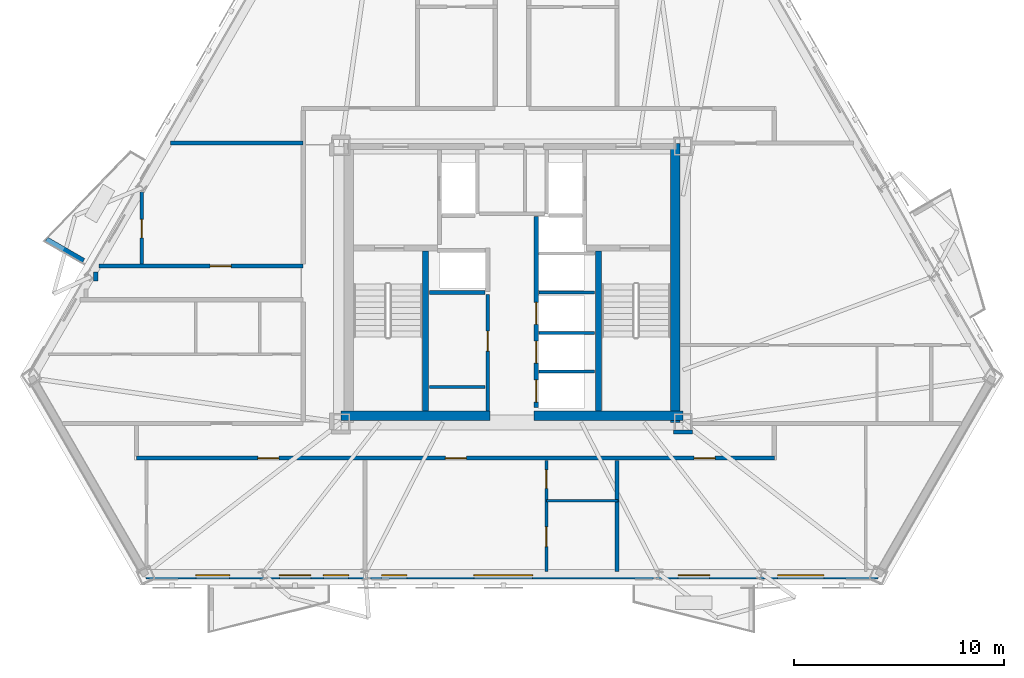
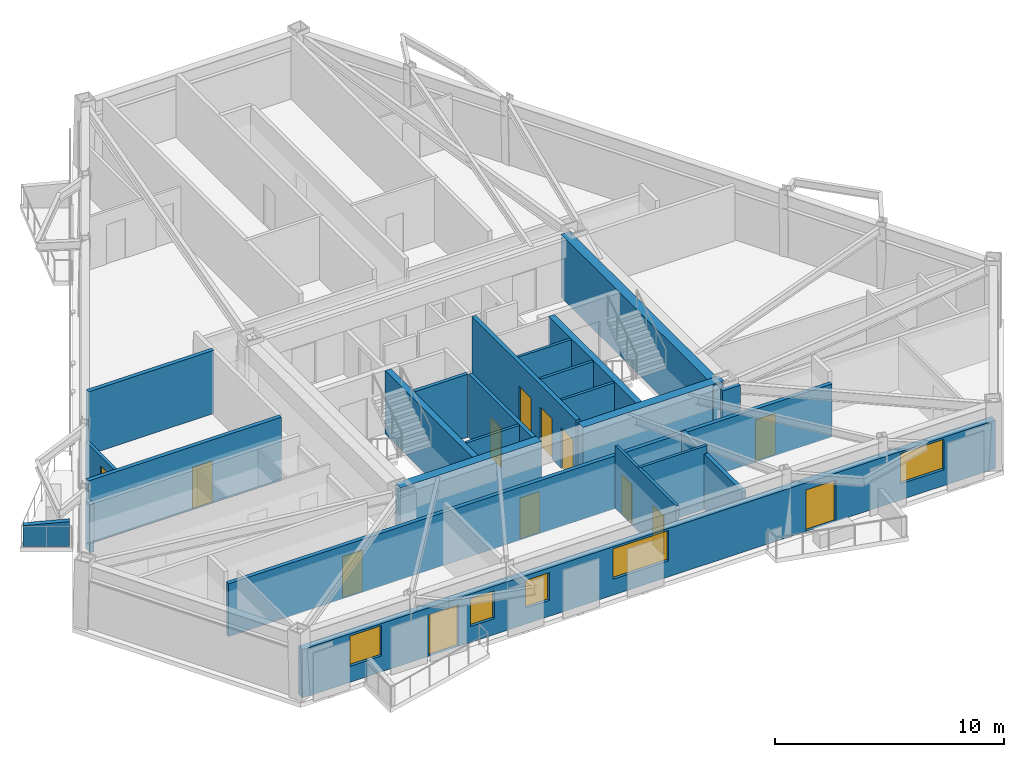
# One storey, part 3 of 9: 23 walls, 13 doors, 5 windows, 18 openings.
"""IFC4 building model written with IfcOpenShell, lengths in metres."""

import ifcopenshell
import ifcopenshell.guid

model = None  # the IFC model being written
_history = None  # IfcOwnerHistory: only IFC2X3 demands one
_inside = {}  # id of a spatial element -> (the spatial element, [elements in it])
_under = {}  # id of a project, library or spatial element -> (it, [spatial elements below it])
_declared = {}  # id of a project -> (the project, [libraries it declares])
_typed = {}  # id of a type object -> (the type object, [elements of that type])
_made_of = {}  # id of a material, layer set ... -> (it, [elements and type objects made of it])


def new_model(schema):
    """Start an empty IFC model of exactly this schema.

    Asked for "IFC4X3", IfcOpenShell would pick the latest addendum, in which some entities
    have other attributes; the version numbers below select the first issue.
    IFC2X3 requires an IfcOwnerHistory on every rooted entity: one is made here for all.
    """
    global model, _history
    if schema == "IFC4X3":
        model = ifcopenshell.file(schema_version=(4, 3, 0, 0))
    else:
        model = ifcopenshell.file(schema=schema)
    _inside.clear()
    _under.clear()
    _declared.clear()
    _typed.clear()
    _made_of.clear()
    _history = None
    if model.schema == "IFC2X3":
        org = make("IfcOrganization", Name="unknown")
        user = make(
            "IfcPersonAndOrganization",
            ThePerson=make("IfcPerson", FamilyName="unknown"),
            TheOrganization=org,
        )
        app = make(
            "IfcApplication",
            ApplicationDeveloper=org,
            Version="unknown",
            ApplicationFullName="unknown",
            ApplicationIdentifier="unknown",
        )
        _history = make(
            "IfcOwnerHistory",
            OwningUser=user,
            OwningApplication=app,
            ChangeAction="ADDED",
            CreationDate=0,
        )
    return model


def make(cls, **values):
    """One entity of the class cls with the attributes given. An attribute that is None is left unset."""
    return model.create_entity(
        cls, **{name: value for name, value in values.items() if value is not None}
    )


def rooted(cls, **values):
    """An entity with a GlobalId (a new one), such as an element, a storey or a relation."""
    return make(cls, GlobalId=ifcopenshell.guid.new(), OwnerHistory=_history, **values)


def si_unit(unit_type, name, prefix=None):
    """IfcSIUnit, for example si_unit("LENGTHUNIT", "METRE", prefix="MILLI")."""
    return make("IfcSIUnit", UnitType=unit_type, Prefix=prefix, Name=name)


def assignment(units):
    """IfcUnitAssignment: the units of a project."""
    return None if units is None else make("IfcUnitAssignment", Units=units)


def point(xyz):
    """IfcCartesianPoint."""
    return None if xyz is None else make("IfcCartesianPoint", Coordinates=xyz)


def direction(xyz):
    """IfcDirection."""
    return None if xyz is None else make("IfcDirection", DirectionRatios=xyz)


def frame(location, z_axis=None, x_axis=None):
    """IfcAxis2Placement3D, a coordinate frame: its origin and axes. An axis left out is left unset."""
    return make(
        "IfcAxis2Placement3D",
        Location=point(location),
        Axis=direction(z_axis),
        RefDirection=direction(x_axis),
    )


def frame_2d(location, x_axis=None):
    """IfcAxis2Placement2D, a coordinate frame in the plane: its origin and x axis."""
    return make(
        "IfcAxis2Placement2D", Location=point(location), RefDirection=direction(x_axis)
    )


def origin():
    """The frame at (0, 0, 0) with its axes left unset."""
    return frame((0.0, 0.0, 0.0))


def place(relative_to, where):
    """IfcLocalPlacement: puts the frame where relative to a parent placement (None: the world)."""
    return make(
        "IfcLocalPlacement", PlacementRelTo=relative_to, RelativePlacement=where
    )


def context(
    kind, dimensions, precision=None, world=None, true_north=None, identifier=None
):
    """IfcGeometricRepresentationContext, for example the 3D "Model" context."""
    return make(
        "IfcGeometricRepresentationContext",
        ContextIdentifier=identifier,
        ContextType=kind,
        CoordinateSpaceDimension=dimensions,
        Precision=precision,
        WorldCoordinateSystem=world,
        TrueNorth=true_north,
    )


def subcontext(parent, identifier, kind, view, scale=None):
    """IfcGeometricRepresentationSubContext, for example "Body" below "Model"."""
    return make(
        "IfcGeometricRepresentationSubContext",
        ContextIdentifier=identifier,
        ContextType=kind,
        ParentContext=parent,
        TargetScale=scale,
        TargetView=view,
    )


def project(units=None, contexts=None):
    """IfcProject with its units and contexts."""
    return rooted(
        "IfcProject",
        Name="project",
        RepresentationContexts=contexts,
        UnitsInContext=assignment(units),
    )


def spatial(cls, under=None, at=None, **own):
    """A site, building, storey or space (cls), placed at a placement, below another one or the project."""
    s = rooted(cls, ObjectPlacement=at, **own)
    if under is not None:
        _under.setdefault(under.id(), (under, []))[1].append(s)
    return s


def polyline(points):
    """IfcPolyline through the points."""
    return make("IfcPolyline", Points=[point(p) for p in points])


def profile(cls, at=None, kind="AREA", **sizes):
    """A parametric profile (cls). Its sizes go by their IFC names, for example OverallWidth=200.0."""
    return make(cls, ProfileType=kind, Position=at, **sizes)


def rectangle(**sizes):
    """IfcRectangleProfileDef."""
    return profile("IfcRectangleProfileDef", **sizes)


def outline(outer, holes=None, kind="AREA"):
    """IfcArbitraryClosedProfileDef: a profile drawn as a closed curve; with holes, ...WithVoids."""
    if holes is None:
        return make("IfcArbitraryClosedProfileDef", ProfileType=kind, OuterCurve=outer)
    return make(
        "IfcArbitraryProfileDefWithVoids",
        ProfileType=kind,
        OuterCurve=outer,
        InnerCurves=holes,
    )


def extrude(swept, where, along, depth):
    """IfcExtrudedAreaSolid: the profile swept, set in the frame where, extruded along a direction by depth."""
    return make(
        "IfcExtrudedAreaSolid",
        SweptArea=swept,
        Position=where,
        ExtrudedDirection=direction(along),
        Depth=depth,
    )


def shape(context_of_items, identifier, shape_type, items):
    """IfcShapeRepresentation: the items that make up one representation, for example the "Body"."""
    return make(
        "IfcShapeRepresentation",
        ContextOfItems=context_of_items,
        RepresentationIdentifier=identifier,
        RepresentationType=shape_type,
        Items=items,
    )


def material(Name=None, Category=None):
    """IfcMaterial."""
    return make("IfcMaterial", Name=Name, Category=Category)


def layer(
    of_material, thickness, ventilated=None, Name=None, Category=None, Priority=None
):
    """IfcMaterialLayer: one layer of a wall or slab, of a material (None: an air gap)."""
    return make(
        "IfcMaterialLayer",
        Material=of_material,
        LayerThickness=thickness,
        IsVentilated=ventilated,
        Name=Name,
        Category=Category,
        Priority=Priority,
    )


def layer_set(layers, Name=None):
    """IfcMaterialLayerSet."""
    return make("IfcMaterialLayerSet", MaterialLayers=layers, LayerSetName=Name)


def made_of(thing, what):
    """Note that an element or type object is made of a material, layer set ...; save() writes the relation."""
    if what is not None:
        _made_of.setdefault(what.id(), (what, []))[1].append(thing)
    return thing


def type_object(cls, material=None, **own):
    """A type object (cls), such as IfcWallType, which elements share."""
    return made_of(rooted(cls, **own), material)


def element(
    cls,
    number,
    at=None,
    inside=None,
    cuts=None,
    type_object=None,
    material=None,
    context=None,
    identifier="Body",
    shape_type=None,
    held_by="IfcProductDefinitionShape",
    body=None,
    shapes=None,
    **own,
):
    """One element of the class cls, such as IfcWall. Its Tag is "e" and its number.

    at: its placement. inside: the storey or other place that contains it. cuts: it is an
    opening in that element (IfcRelVoidsElement). A single representation is given by context,
    identifier, shape_type and body (its items); several are given by shapes. held_by: the class
    of the entity that holds the representations. save() writes the other relations.
    """
    e = rooted(cls, Tag="e%d" % number, ObjectPlacement=at, **own)
    if body is not None:
        shapes = [shape(context, identifier, shape_type, body)]
    if shapes is not None:
        e.Representation = make(held_by, Representations=shapes)
    if inside is not None:
        _inside.setdefault(inside.id(), (inside, []))[1].append(e)
    if cuts is not None:
        rooted(
            "IfcRelVoidsElement", RelatingBuildingElement=cuts, RelatedOpeningElement=e
        )
    if type_object is not None:
        _typed.setdefault(type_object.id(), (type_object, []))[1].append(e)
    return made_of(e, material)


def fill(opening, filler):
    """IfcRelFillsElement: the door or window that sits in an opening."""
    return rooted(
        "IfcRelFillsElement",
        RelatingOpeningElement=opening,
        RelatedBuildingElement=filler,
    )


def aggregate(whole, parts):
    """IfcRelAggregates: a whole, such as a stair, and the parts it consists of."""
    return rooted("IfcRelAggregates", RelatingObject=whole, RelatedObjects=parts)


def save(model, path):
    """Write the relations noted so far, then the file.

    IfcRelAggregates (storeys below a building ...), IfcRelContainedInSpatialStructure (elements
    in a storey), IfcRelDefinesByType, IfcRelAssociatesMaterial and IfcRelDeclares: one each for
    every whole, place, type object, material and project.
    """
    for whole, parts in _under.values():
        aggregate(whole, parts)
    for where, things in _inside.values():
        rooted(
            "IfcRelContainedInSpatialStructure",
            RelatedElements=things,
            RelatingStructure=where,
        )
    for kind, things in _typed.values():
        rooted("IfcRelDefinesByType", RelatedObjects=things, RelatingType=kind)
    for what, things in _made_of.values():
        rooted("IfcRelAssociatesMaterial", RelatedObjects=things, RelatingMaterial=what)
    for by, libraries in _declared.values():
        rooted("IfcRelDeclares", RelatingContext=by, RelatedDefinitions=libraries)
    model.write(path)


model = new_model("IFC4")

# Units and contexts
model_context = context("Model", 3, precision=1e-05, world=origin(), true_north=direction((0.0, 1.0)))
body_context = subcontext(model_context, "Body", "Model", "MODEL_VIEW")
ifc_project = project(units=[si_unit("LENGTHUNIT", "METRE"), si_unit("AREAUNIT", "SQUARE_METRE"), si_unit("VOLUMEUNIT", "CUBIC_METRE"), si_unit("PLANEANGLEUNIT", "RADIAN"), si_unit("MASSUNIT", "GRAM", prefix="KILO")], contexts=[model_context])

# Site, building, storey
site_placement = place(None, origin())
site = spatial("IfcSite", under=ifc_project, at=site_placement, CompositionType="ELEMENT")
building_placement = place(site_placement, origin())
building = spatial("IfcBuilding", under=site, at=building_placement, Name="Oramaril Tower", CompositionType="ELEMENT")
storey_placement = place(building_placement, frame((0.0, 0.0, 119.39990234375)))
storey = spatial("IfcBuildingStorey", under=building, at=storey_placement, Name="L31", CompositionType="ELEMENT", Elevation=119.39990234375)

# Wall, openings, doors, windows
ifc_material_1 = material(Name="Warm Cream Limestone", Category="masonry")
ifc_layer_1 = layer(ifc_material_1, 0.340087890625)
ifc_layer_set_1 = layer_set([ifc_layer_1], Name="WT-EXT34")
wall_type_1 = type_object("IfcWallType", Name="WT-EXT34", PredefinedType="SOLIDWALL", material=ifc_layer_set_1)
wall_1_placement = place(storey_placement, frame((20.04931640625, 3.712890625, 0.0), z_axis=(0.0, 0.0, 1.0), x_axis=(1.0, 0.0, 0.0)))
wall_1 = element("IfcWall", 1, at=wall_1_placement, inside=storey, type_object=wall_type_1, Name="L31 Tower Limestone Facade Wall 2M", PredefinedType="SOLIDWALL", context=body_context, shape_type="SweptSolid", body=[
    extrude(rectangle(XDim=34.9013671875, YDim=0.340087890625, at=frame_2d((17.45068359375, 0.0))), origin(), (0.0, 0.0, 1.0), 2.578125),
])
opening_1_placement = place(wall_1_placement, frame((6.369384765625, 0.0, 0.0)))
opening_1 = element("IfcOpeningElement", 2, at=opening_1_placement, cuts=wall_1, Name="Opening D-L31-BAL-S1", PredefinedType="OPENING", context=body_context, shape_type="SweptSolid", body=[
    extrude(rectangle(XDim=1.5, YDim=2.199951171875, at=frame_2d((0.75, 1.10009765625))), frame((0.0, 0.169921875, 0.0), z_axis=(0.0, -1.0, 0.0), x_axis=(1.0, 0.0, 0.0)), (0.0, 0.0, 1.0), 0.340087890625),
])
opening_2_placement = place(wall_1_placement, frame((25.366943359375, 0.0, 0.0)))
opening_2 = element("IfcOpeningElement", 3, at=opening_2_placement, cuts=wall_1, Name="Opening D-L31-BAL-S2", PredefinedType="OPENING", context=body_context, shape_type="SweptSolid", body=[
    extrude(rectangle(XDim=1.5, YDim=2.199951171875, at=frame_2d((0.75, 1.10009765625))), frame((0.0, 0.169921875, 0.0), z_axis=(0.0, -1.0, 0.0), x_axis=(1.0, 0.0, 0.0)), (0.0, 0.0, 1.0), 0.340087890625),
])
opening_3_placement = place(wall_1_placement, frame((2.38818359375, 0.0, 0.85009765625)))
opening_3 = element("IfcOpeningElement", 4, at=opening_3_placement, cuts=wall_1, Name="Opening WN-07", PredefinedType="OPENING", context=body_context, shape_type="SweptSolid", body=[
    extrude(rectangle(XDim=1.60009765625, YDim=1.617919921875, at=frame_2d((0.800048828125, 0.80908203125))), frame((0.0, 0.169921875, 0.0), z_axis=(0.0, -1.0, 0.0), x_axis=(1.0, 0.0, 0.0)), (0.0, 0.0, 1.0), 0.340087890625),
])
opening_4_placement = place(wall_1_placement, frame((8.464599609375, 0.0, 0.85009765625)))
opening_4 = element("IfcOpeningElement", 5, at=opening_4_placement, cuts=wall_1, Name="Opening WN-09", PredefinedType="OPENING", context=body_context, shape_type="SweptSolid", body=[
    extrude(rectangle(XDim=1.199951171875, YDim=1.47998046875, at=frame_2d((0.60009765625, 0.739990234375))), frame((0.0, 0.169921875, 0.0), z_axis=(0.0, -1.0, 0.0), x_axis=(1.0, 0.0, 0.0)), (0.0, 0.0, 1.0), 0.340087890625),
])
opening_5_placement = place(wall_1_placement, frame((11.234619140625, 0.0, 0.85009765625)))
opening_5 = element("IfcOpeningElement", 6, at=opening_5_placement, cuts=wall_1, Name="Opening WN-09", PredefinedType="OPENING", context=body_context, shape_type="SweptSolid", body=[
    extrude(rectangle(XDim=1.199951171875, YDim=1.47998046875, at=frame_2d((0.60009765625, 0.739990234375))), frame((0.0, 0.169921875, 0.0), z_axis=(0.0, -1.0, 0.0), x_axis=(1.0, 0.0, 0.0)), (0.0, 0.0, 1.0), 0.340087890625),
])
opening_6_placement = place(wall_1_placement, frame((15.638671875, 0.0, 0.85009765625)))
opening_6 = element("IfcOpeningElement", 7, at=opening_6_placement, cuts=wall_1, Name="Opening WN-01", PredefinedType="OPENING", context=body_context, shape_type="SweptSolid", body=[
    extrude(rectangle(XDim=2.800048828125, YDim=1.617919921875, at=frame_2d((1.39990234375, 0.80908203125))), frame((0.0, 0.169921875, 0.0), z_axis=(0.0, -1.0, 0.0), x_axis=(1.0, 0.0, 0.0)), (0.0, 0.0, 1.0), 0.340087890625),
])
opening_7_placement = place(wall_1_placement, frame((30.11328125, 0.0, 0.85009765625)))
opening_7 = element("IfcOpeningElement", 8, at=opening_7_placement, cuts=wall_1, Name="Opening WN-04", PredefinedType="OPENING", context=body_context, shape_type="SweptSolid", body=[
    extrude(rectangle(XDim=2.199951171875, YDim=1.617919921875, at=frame_2d((1.10009765625, 0.80908203125))), frame((0.0, 0.169921875, 0.0), z_axis=(0.0, -1.0, 0.0), x_axis=(1.0, 0.0, 0.0)), (0.0, 0.0, 1.0), 0.340087890625),
])
ifc_material_2 = material(Name="Anodised Aluminium 6063-T6", Category="aluminium")
door_type_1 = type_object("IfcDoorType", Name="DT-BAL", OperationType="NOTDEFINED", PredefinedType="DOOR", material=ifc_material_2)
door_1_placement = place(opening_1_placement, origin())
door_1 = element("IfcDoor", 9, at=door_1_placement, inside=storey, type_object=door_type_1, Name="L31 Balcony Glazed Door L31-BAL-S1", OperationType="SINGLE_SWING_RIGHT", OverallHeight=2.199951171875, OverallWidth=1.5, PredefinedType="DOOR", context=body_context, shape_type="SweptSolid", body=[
    extrude(rectangle(XDim=1.5, YDim=2.199951171875, at=frame_2d((0.75, 1.10009765625))), frame((0.0, 0.02490234375, 0.0), z_axis=(0.0, -1.0, 0.0), x_axis=(1.0, 0.0, 0.0)), (0.0, 0.0, 1.0), 0.050048828125),
])
fill(opening_1, door_1)
door_2_placement = place(opening_2_placement, origin())
door_2 = element("IfcDoor", 10, at=door_2_placement, inside=storey, type_object=door_type_1, Name="L31 Balcony Glazed Door L31-BAL-S2", OperationType="SINGLE_SWING_LEFT", OverallHeight=2.199951171875, OverallWidth=1.5, PredefinedType="DOOR", context=body_context, shape_type="SweptSolid", body=[
    extrude(rectangle(XDim=1.5, YDim=2.199951171875, at=frame_2d((0.75, 1.10009765625))), frame((0.0, 0.02490234375, 0.0), z_axis=(0.0, -1.0, 0.0), x_axis=(1.0, 0.0, 0.0)), (0.0, 0.0, 1.0), 0.050048828125),
])
fill(opening_2, door_2)
ifc_material_3 = material(Name="Coastal Low-E Insulated Glass", Category="glass")
window_type_1 = type_object("IfcWindowType", Name="WNT-01", PartitioningType="SINGLE_PANEL", PredefinedType="WINDOW", material=ifc_material_3)
window_1_placement = place(opening_6_placement, origin())
window_1 = element("IfcWindow", 11, at=window_1_placement, inside=storey, type_object=window_type_1, Name="L31 Chicago Bay Window WN-01", OverallHeight=1.617919921875, OverallWidth=2.800048828125, PartitioningType="SINGLE_PANEL", PredefinedType="WINDOW", context=body_context, shape_type="SweptSolid", body=[
    extrude(rectangle(XDim=2.800048828125, YDim=1.617919921875, at=frame_2d((1.39990234375, 0.80908203125))), frame((0.0, 0.030029296875, 0.0), z_axis=(0.0, -1.0, 0.0), x_axis=(1.0, 0.0, 0.0)), (0.0, 0.0, 1.0), 0.06005859375),
])
fill(opening_6, window_1)
ifc_material_4 = material(Name="Coastal Low-E Insulated Glass", Category="glass")
window_type_2 = type_object("IfcWindowType", Name="WNT-04", PartitioningType="SINGLE_PANEL", PredefinedType="WINDOW", material=ifc_material_4)
window_2_placement = place(opening_7_placement, origin())
window_2 = element("IfcWindow", 12, at=window_2_placement, inside=storey, type_object=window_type_2, Name="L31 Chicago Bay Window WN-04", OverallHeight=1.617919921875, OverallWidth=2.199951171875, PartitioningType="SINGLE_PANEL", PredefinedType="WINDOW", context=body_context, shape_type="SweptSolid", body=[
    extrude(rectangle(XDim=2.199951171875, YDim=1.617919921875, at=frame_2d((1.10009765625, 0.80908203125))), frame((0.0, 0.030029296875, 0.0), z_axis=(0.0, -1.0, 0.0), x_axis=(1.0, 0.0, 0.0)), (0.0, 0.0, 1.0), 0.06005859375),
])
fill(opening_7, window_2)
ifc_material_5 = material(Name="Coastal Low-E Insulated Glass", Category="glass")
window_type_3 = type_object("IfcWindowType", Name="WNT-07", PartitioningType="SINGLE_PANEL", PredefinedType="WINDOW", material=ifc_material_5)
window_3_placement = place(opening_3_placement, origin())
window_3 = element("IfcWindow", 13, at=window_3_placement, inside=storey, type_object=window_type_3, Name="L31 Chicago Bay Window WN-07", OverallHeight=1.617919921875, OverallWidth=1.60009765625, PartitioningType="SINGLE_PANEL", PredefinedType="WINDOW", context=body_context, shape_type="SweptSolid", body=[
    extrude(rectangle(XDim=1.60009765625, YDim=1.617919921875, at=frame_2d((0.800048828125, 0.80908203125))), frame((0.0, 0.030029296875, 0.0), z_axis=(0.0, -1.0, 0.0), x_axis=(1.0, 0.0, 0.0)), (0.0, 0.0, 1.0), 0.06005859375),
])
fill(opening_3, window_3)
ifc_material_6 = material(Name="Coastal Low-E Insulated Glass", Category="glass")
window_type_4 = type_object("IfcWindowType", Name="WNT-09", PartitioningType="SINGLE_PANEL", PredefinedType="WINDOW", material=ifc_material_6)
window_4_placement = place(opening_4_placement, origin())
window_4 = element("IfcWindow", 14, at=window_4_placement, inside=storey, type_object=window_type_4, Name="L31 Chicago Bay Window WN-09", OverallHeight=1.47998046875, OverallWidth=1.199951171875, PartitioningType="SINGLE_PANEL", PredefinedType="WINDOW", context=body_context, shape_type="SweptSolid", body=[
    extrude(rectangle(XDim=1.199951171875, YDim=1.47998046875, at=frame_2d((0.60009765625, 0.739990234375))), frame((0.0, 0.030029296875, 0.0), z_axis=(0.0, -1.0, 0.0), x_axis=(1.0, 0.0, 0.0)), (0.0, 0.0, 1.0), 0.06005859375),
])
fill(opening_4, window_4)
window_5_placement = place(opening_5_placement, origin())
window_5 = element("IfcWindow", 15, at=window_5_placement, inside=storey, type_object=window_type_4, Name="L31 Chicago Bay Window WN-09", OverallHeight=1.47998046875, OverallWidth=1.199951171875, PartitioningType="SINGLE_PANEL", PredefinedType="WINDOW", context=body_context, shape_type="SweptSolid", body=[
    extrude(rectangle(XDim=1.199951171875, YDim=1.47998046875, at=frame_2d((0.60009765625, 0.739990234375))), frame((0.0, 0.030029296875, 0.0), z_axis=(0.0, -1.0, 0.0), x_axis=(1.0, 0.0, 0.0)), (0.0, 0.0, 1.0), 0.06005859375),
])
fill(opening_5, window_5)

# Walls
ifc_material_7 = material(Name="Concrete C40/50", Category="concrete")
ifc_layer_2 = layer(ifc_material_7, 0.22998046875)
ifc_layer_set_2 = layer_set([ifc_layer_2], Name="WT-PRP23")
wall_type_2 = type_object("IfcWallType", Name="WT-PRP23", PredefinedType="PARAPET", material=ifc_layer_set_2)
wall_2_placement = place(storey_placement, frame((17.0849609375, 18.7099609375, 0.0), z_axis=(0.0, 0.0, 1.0), x_axis=(-0.866012356593, 0.500022597718, 0.0)))
element("IfcWall", 16, at=wall_2_placement, inside=storey, type_object=wall_type_2, Name="L31 Trapezoidal Balcony Frame Cheek L31-BAL-NW2-R", PredefinedType="PARAPET", context=body_context, shape_type="SweptSolid", body=[
    extrude(outline(polyline([(0.0, 0.0), (2.0419921875, 0.0), (2.0419921875, 1.10009765625), (0.0, 1.320068359375), (0.0, 0.0)])), frame((0.0, 0.114990234375, 0.0), z_axis=(0.0, -1.0, 0.0), x_axis=(1.0, 0.0, 0.0)), (0.0, 0.0, 1.0), 0.22998046875),
])
ifc_material_8 = material(Name="Acoustic Gypsum Board Partition")
ifc_layer_3 = layer(ifc_material_8, 0.139892578125)
ifc_layer_set_3 = layer_set([ifc_layer_3], Name="WT-PT14")
wall_type_3 = type_object("IfcWallType", Name="WT-PT14", PredefinedType="PARTITIONING", material=ifc_layer_set_3)
for number, where, z_axis, x_axis, name in (
    (17, (33.56005859375, 12.679931640625, 0.0), (0.0, 0.0, 1.0), (1.0, 0.0, 0.0), "L31 Freed Shaft South Closure"),
    (18, (38.780029296875, 13.419921875, 0.0), (0.0, 0.0, 1.0), (1.0, 0.0, 0.0), "L31 East Lift Divider"),
    (19, (38.780029296875, 15.27001953125, 0.0), (0.0, 0.0, 1.0), (1.0, 0.0, 0.0), "L31 East Lift Divider"),
    (20, (38.780029296875, 17.199951171875, 0.0), (0.0, 0.0, 1.0), (1.0, 0.0, 0.0), "L31 East Lift Divider"),
):
    element("IfcWall", number, at=place(storey_placement, frame(where, z_axis=z_axis, x_axis=x_axis)), inside=storey, type_object=wall_type_3, Name=name, PredefinedType="PARTITIONING", context=body_context, shape_type="SweptSolid", body=[
        extrude(rectangle(XDim=2.659912109375, YDim=0.139892578125, at=frame_2d((1.330078125, 0.0))), origin(), (0.0, 0.0, 1.0), 3.360107421875),
    ])
wall_3_placement = place(storey_placement, frame((39.139892578125, 7.27001953125, 0.0), z_axis=(0.0, 0.0, 1.0), x_axis=(1.0, 0.0, 0.0)))
element("IfcWall", 21, at=wall_3_placement, inside=storey, type_object=wall_type_3, Name="L31 Interior Partition PT-14", PredefinedType="PARTITIONING", context=body_context, shape_type="SweptSolid", body=[
    extrude(rectangle(XDim=3.41015625, YDim=0.139892578125, at=frame_2d((1.705078125, 0.0))), origin(), (0.0, 0.0, 1.0), 3.360107421875),
])

# Wall, openings, doors
wall_4_placement = place(storey_placement, frame((39.139892578125, 3.886962890625, 0.0), z_axis=(0.0, 0.0, 1.0), x_axis=(0.0, 1.0, 0.0)))
wall_4 = element("IfcWall", 22, at=wall_4_placement, inside=storey, type_object=wall_type_3, Name="L31 Interior Partition PT-14", PredefinedType="PARTITIONING", context=body_context, shape_type="SweptSolid", body=[
    extrude(rectangle(XDim=5.30908203125, YDim=0.139892578125, at=frame_2d((2.654541015625, 0.0))), origin(), (0.0, 0.0, 1.0), 3.360107421875),
])
opening_8_placement = place(wall_4_placement, frame((1.1904296875, 0.0, 0.0)))
opening_8 = element("IfcOpeningElement", 23, at=opening_8_placement, cuts=wall_4, Name="Opening D-L31-24", PredefinedType="OPENING", context=body_context, shape_type="SweptSolid", body=[
    extrude(rectangle(XDim=0.949951171875, YDim=2.10009765625, at=frame_2d((0.47509765625, 1.050048828125))), frame((0.0, 0.06982421875, 0.0), z_axis=(0.0, -1.0, 0.0), x_axis=(1.0, 0.0, 0.0)), (0.0, 0.0, 1.0), 0.139892578125),
])
opening_9_placement = place(wall_4_placement, frame((3.973876953125, 0.0, 0.0)))
opening_9 = element("IfcOpeningElement", 24, at=opening_9_placement, cuts=wall_4, Name="Opening D-L31-25", PredefinedType="OPENING", context=body_context, shape_type="SweptSolid", body=[
    extrude(rectangle(XDim=0.8798828125, YDim=2.080078125, at=frame_2d((0.43994140625, 1.0400390625))), frame((0.0, 0.06982421875, 0.0), z_axis=(0.0, -1.0, 0.0), x_axis=(1.0, 0.0, 0.0)), (0.0, 0.0, 1.0), 0.139892578125),
])
ifc_material_9 = material(Name="FSC Brazilian Freijo Hardwood", Category="wood")
door_type_2 = type_object("IfcDoorType", Name="DT-BATH", OperationType="NOTDEFINED", PredefinedType="DOOR", material=ifc_material_9)
door_3_placement = place(opening_9_placement, origin())
door_3 = element("IfcDoor", 25, at=door_3_placement, inside=storey, type_object=door_type_2, Name="L31 Flat L31-U2 Bathroom Door D-L31-25", OperationType="SINGLE_SWING_LEFT", OverallHeight=2.080078125, OverallWidth=0.8798828125, PredefinedType="DOOR", context=body_context, shape_type="SweptSolid", body=[
    extrude(rectangle(XDim=0.8798828125, YDim=2.080078125, at=frame_2d((0.43994140625, 1.0400390625))), frame((0.0, 0.02490234375, 0.0), z_axis=(0.0, -1.0, 0.0), x_axis=(1.0, 0.0, 0.0)), (0.0, 0.0, 1.0), 0.050048828125),
])
fill(opening_9, door_3)
ifc_material_10 = material(Name="FSC Brazilian Freijo Hardwood", Category="wood")
door_type_3 = type_object("IfcDoorType", Name="DT-STDY", OperationType="NOTDEFINED", PredefinedType="DOOR", material=ifc_material_10)
door_4_placement = place(opening_8_placement, origin())
door_4 = element("IfcDoor", 26, at=door_4_placement, inside=storey, type_object=door_type_3, Name="L31 Flat L31-U2 Kitchen Door D-L31-24", OperationType="SINGLE_SWING_RIGHT", OverallHeight=2.10009765625, OverallWidth=0.949951171875, PredefinedType="DOOR", context=body_context, shape_type="SweptSolid", body=[
    extrude(rectangle(XDim=0.949951171875, YDim=2.10009765625, at=frame_2d((0.47509765625, 1.050048828125))), frame((0.0, 0.02490234375, 0.0), z_axis=(0.0, -1.0, 0.0), x_axis=(1.0, 0.0, 0.0)), (0.0, 0.0, 1.0), 0.050048828125),
])
fill(opening_8, door_4)

# Wall, opening, door
ifc_material_11 = material(Name="Acoustic Gypsum Board Partition")
ifc_layer_4 = layer(ifc_material_11, 0.159912109375)
ifc_layer_set_4 = layer_set([ifc_layer_4], Name="WT-PT16")
wall_type_4 = type_object("IfcWallType", Name="WT-PT16", PredefinedType="PARTITIONING", material=ifc_layer_set_4)
wall_5_placement = place(storey_placement, frame((19.860107421875, 18.553955078125, 0.0), z_axis=(0.0, 0.0, 1.0), x_axis=(0.0, 1.0, 0.0)))
wall_5 = element("IfcWall", 27, at=wall_5_placement, inside=storey, type_object=wall_type_4, Name="L31 Interior Partition PT-16", PredefinedType="PARTITIONING", context=body_context, shape_type="SweptSolid", body=[
    extrude(rectangle(XDim=3.41845703125, YDim=0.159912109375, at=frame_2d((1.709228515625, 0.0))), origin(), (0.0, 0.0, 1.0), 2.578125),
])
opening_10_placement = place(wall_5_placement, frame((1.247314453125, 0.0, 0.0)))
opening_10 = element("IfcOpeningElement", 28, at=opening_10_placement, cuts=wall_5, Name="Opening D-L31-20", PredefinedType="OPENING", context=body_context, shape_type="SweptSolid", body=[
    extrude(rectangle(XDim=0.8798828125, YDim=2.080078125, at=frame_2d((0.43994140625, 1.0400390625))), frame((0.0, 0.080078125, 0.0), z_axis=(0.0, -1.0, 0.0), x_axis=(1.0, 0.0, 0.0)), (0.0, 0.0, 1.0), 0.159912109375),
])
door_5_placement = place(opening_10_placement, origin())
door_5 = element("IfcDoor", 29, at=door_5_placement, inside=storey, type_object=door_type_2, Name="L31 Flat L31-U5 Bathroom Door D-L31-20", OperationType="SINGLE_SWING_RIGHT", OverallHeight=2.080078125, OverallWidth=0.8798828125, PredefinedType="DOOR", context=body_context, shape_type="SweptSolid", body=[
    extrude(rectangle(XDim=0.8798828125, YDim=2.080078125, at=frame_2d((0.43994140625, 1.0400390625))), frame((0.0, 0.02490234375, 0.0), z_axis=(0.0, -1.0, 0.0), x_axis=(1.0, 0.0, 0.0)), (0.0, 0.0, 1.0), 0.050048828125),
])
fill(opening_10, door_5)

# Wall
ifc_material_12 = material(Name="Autoclaved Cellular Concrete Block", Category="concrete")
ifc_layer_5 = layer(ifc_material_12, 0.179931640625)
ifc_layer_set_5 = layer_set([ifc_layer_5], Name="WT-PT18")
wall_type_5 = type_object("IfcWallType", Name="WT-PT18", PredefinedType="PARTITIONING", material=ifc_layer_set_5)
wall_6_placement = place(storey_placement, frame((33.56005859375, 17.199951171875, 0.0), z_axis=(0.0, 0.0, 1.0), x_axis=(1.0, 0.0, 0.0)))
element("IfcWall", 30, at=wall_6_placement, inside=storey, type_object=wall_type_5, Name="L31 High-Rise Lift H1 South Wall", PredefinedType="PARTITIONING", context=body_context, shape_type="SweptSolid", body=[
    extrude(rectangle(XDim=2.659912109375, YDim=0.179931640625, at=frame_2d((1.330078125, 0.0))), origin(), (0.0, 0.0, 1.0), 3.360107421875),
])

# Wall, opening, door
wall_7_placement = place(storey_placement, frame((36.340087890625, 11.550048828125, 0.0), z_axis=(0.0, 0.0, 1.0), x_axis=(0.0, 1.0, 0.0)))
wall_7 = element("IfcWall", 31, at=wall_7_placement, inside=storey, type_object=wall_type_5, Name="L31 Freed Shaft Study East Wall", PredefinedType="PARTITIONING", context=body_context, shape_type="SweptSolid", body=[
    extrude(rectangle(XDim=5.550048828125, YDim=0.179931640625, at=frame_2d((2.77490234375, 0.0))), origin(), (0.0, 0.0, 1.0), 3.360107421875),
])
opening_11_placement = place(wall_7_placement, frame((2.85009765625, 0.0, 0.0)))
opening_11 = element("IfcOpeningElement", 32, at=opening_11_placement, cuts=wall_7, Name="Opening D-L31-FL1", PredefinedType="OPENING", context=body_context, shape_type="SweptSolid", body=[
    extrude(rectangle(XDim=0.949951171875, YDim=2.10009765625, at=frame_2d((0.47509765625, 1.050048828125))), frame((0.0, 0.08984375, 0.0), z_axis=(0.0, -1.0, 0.0), x_axis=(1.0, 0.0, 0.0)), (0.0, 0.0, 1.0), 0.179931640625),
])
door_6_placement = place(opening_11_placement, origin())
door_6 = element("IfcDoor", 33, at=door_6_placement, inside=storey, type_object=door_type_3, Name="L31 L31 Residents Library Study Door", OperationType="SINGLE_SWING_LEFT", OverallHeight=2.10009765625, OverallWidth=0.949951171875, PredefinedType="DOOR", context=body_context, shape_type="SweptSolid", body=[
    extrude(rectangle(XDim=0.949951171875, YDim=2.10009765625, at=frame_2d((0.47509765625, 1.050048828125))), frame((0.0, 0.02490234375, 0.0), z_axis=(0.0, -1.0, 0.0), x_axis=(1.0, 0.0, 0.0)), (0.0, 0.0, 1.0), 0.050048828125),
])
fill(opening_11, door_6)

# Wall, openings, doors
ifc_material_13 = material(Name="Autoclaved Cellular Concrete Block", Category="concrete")
ifc_layer_6 = layer(ifc_material_13, 0.199951171875)
ifc_layer_set_6 = layer_set([ifc_layer_6], Name="WT-PT20")
wall_type_6 = type_object("IfcWallType", Name="WT-PT20", PredefinedType="PARTITIONING", material=ifc_layer_set_6)
wall_8_placement = place(storey_placement, frame((19.60009765625, 9.300048828125, 0.0), z_axis=(0.0, 0.0, 1.0), x_axis=(1.0, 0.0, 0.0)))
wall_8 = element("IfcWall", 34, at=wall_8_placement, inside=storey, type_object=wall_type_6, Name="L31 Interior Partition PT-20", PredefinedType="PARTITIONING", context=body_context, shape_type="SweptSolid", body=[
    extrude(rectangle(XDim=30.39990234375, YDim=0.199951171875, at=frame_2d((15.199951171875, 0.0))), origin(), (0.0, 0.0, 1.0), 2.814208984375),
])
opening_12_placement = place(wall_8_placement, frame((5.790283203125, 0.0, 0.0)))
opening_12 = element("IfcOpeningElement", 35, at=opening_12_placement, cuts=wall_8, Name="Opening D-L31-01", PredefinedType="OPENING", context=body_context, shape_type="SweptSolid", body=[
    extrude(rectangle(XDim=1.0, YDim=2.179931640625, at=frame_2d((0.5, 1.08984375))), frame((0.0, 0.10009765625, 0.0), z_axis=(0.0, -1.0, 0.0), x_axis=(1.0, 0.0, 0.0)), (0.0, 0.0, 1.0), 0.199951171875),
])
opening_13_placement = place(wall_8_placement, frame((14.719970703125, 0.0, 0.0)))
opening_13 = element("IfcOpeningElement", 36, at=opening_13_placement, cuts=wall_8, Name="Opening D-L31-02", PredefinedType="OPENING", context=body_context, shape_type="SweptSolid", body=[
    extrude(rectangle(XDim=1.0, YDim=2.179931640625, at=frame_2d((0.5, 1.08984375))), frame((0.0, 0.10009765625, 0.0), z_axis=(0.0, -1.0, 0.0), x_axis=(1.0, 0.0, 0.0)), (0.0, 0.0, 1.0), 0.199951171875),
])
opening_14_placement = place(wall_8_placement, frame((26.576416015625, 0.0, 0.0)))
opening_14 = element("IfcOpeningElement", 37, at=opening_14_placement, cuts=wall_8, Name="Opening D-L31-03", PredefinedType="OPENING", context=body_context, shape_type="SweptSolid", body=[
    extrude(rectangle(XDim=1.0, YDim=2.179931640625, at=frame_2d((0.5, 1.08984375))), frame((0.0, 0.10009765625, 0.0), z_axis=(0.0, -1.0, 0.0), x_axis=(1.0, 0.0, 0.0)), (0.0, 0.0, 1.0), 0.199951171875),
])
ifc_material_14 = material(Name="FSC Brazilian Freijo Hardwood", Category="wood")
door_type_4 = type_object("IfcDoorType", Name="DT-APT", OperationType="NOTDEFINED", PredefinedType="DOOR", material=ifc_material_14)
door_7_placement = place(opening_12_placement, origin())
door_7 = element("IfcDoor", 38, at=door_7_placement, inside=storey, type_object=door_type_4, Name="L31 Flat L31-U1 Kitchen and Studio Apartment Door D-L31-01", OperationType="SINGLE_SWING_LEFT", OverallHeight=2.179931640625, OverallWidth=1.0, PredefinedType="DOOR", context=body_context, shape_type="SweptSolid", body=[
    extrude(rectangle(XDim=1.0, YDim=2.179931640625, at=frame_2d((0.5, 1.08984375))), frame((0.0, 0.02490234375, 0.0), z_axis=(0.0, -1.0, 0.0), x_axis=(1.0, 0.0, 0.0)), (0.0, 0.0, 1.0), 0.050048828125),
])
fill(opening_12, door_7)
door_8_placement = place(opening_13_placement, origin())
door_8 = element("IfcDoor", 39, at=door_8_placement, inside=storey, type_object=door_type_4, Name="L31 Flat L31-U2 Studio Apartment Door D-L31-02", OperationType="SINGLE_SWING_RIGHT", OverallHeight=2.179931640625, OverallWidth=1.0, PredefinedType="DOOR", context=body_context, shape_type="SweptSolid", body=[
    extrude(rectangle(XDim=1.0, YDim=2.179931640625, at=frame_2d((0.5, 1.08984375))), frame((0.0, 0.02490234375, 0.0), z_axis=(0.0, -1.0, 0.0), x_axis=(1.0, 0.0, 0.0)), (0.0, 0.0, 1.0), 0.050048828125),
])
fill(opening_13, door_8)
door_9_placement = place(opening_14_placement, origin())
door_9 = element("IfcDoor", 40, at=door_9_placement, inside=storey, type_object=door_type_4, Name="L31 Flat L31-U3 Kitchen and Studio Apartment Door D-L31-03", OperationType="SINGLE_SWING_LEFT", OverallHeight=2.179931640625, OverallWidth=1.0, PredefinedType="DOOR", context=body_context, shape_type="SweptSolid", body=[
    extrude(rectangle(XDim=1.0, YDim=2.179931640625, at=frame_2d((0.5, 1.08984375))), frame((0.0, 0.02490234375, 0.0), z_axis=(0.0, -1.0, 0.0), x_axis=(1.0, 0.0, 0.0)), (0.0, 0.0, 1.0), 0.050048828125),
])
fill(opening_14, door_9)

# Wall
wall_9_placement = place(storey_placement, frame((45.205078125, 10.550048828125, 0.0), z_axis=(0.0, 0.0, 1.0), x_axis=(1.0, 0.0, 0.0)))
element("IfcWall", 41, at=wall_9_placement, inside=storey, type_object=wall_type_6, Name="L31 Interior Partition PT-20", PredefinedType="PARTITIONING", context=body_context, shape_type="SweptSolid", body=[
    extrude(rectangle(XDim=0.889892578125, YDim=0.199951171875, at=frame_2d((0.44482421875, 0.0))), origin(), (0.0, 0.0, 1.0), 3.360107421875),
])

# Wall, opening, door
wall_10_placement = place(storey_placement, frame((17.826416015625, 18.449951171875, 0.0), z_axis=(0.0, 0.0, 1.0), x_axis=(1.0, 0.0, 0.0)))
wall_10 = element("IfcWall", 42, at=wall_10_placement, inside=storey, type_object=wall_type_6, Name="L31 Interior Partition PT-20", PredefinedType="PARTITIONING", context=body_context, shape_type="SweptSolid", body=[
    extrude(rectangle(XDim=9.7236328125, YDim=0.199951171875, at=frame_2d((4.86181640625, 0.0))), origin(), (0.0, 0.0, 1.0), 3.360107421875),
])
opening_15_placement = place(wall_10_placement, frame((5.28466796875, 0.0, 0.0)))
opening_15 = element("IfcOpeningElement", 43, at=opening_15_placement, cuts=wall_10, Name="Opening D-L31-11", PredefinedType="OPENING", context=body_context, shape_type="SweptSolid", body=[
    extrude(rectangle(XDim=1.0, YDim=2.179931640625, at=frame_2d((0.5, 1.08984375))), frame((0.0, 0.10009765625, 0.0), z_axis=(0.0, -1.0, 0.0), x_axis=(1.0, 0.0, 0.0)), (0.0, 0.0, 1.0), 0.199951171875),
])
door_10_placement = place(opening_15_placement, origin())
door_10 = element("IfcDoor", 44, at=door_10_placement, inside=storey, type_object=door_type_4, Name="L31 Flat L31-U5 Kitchen and Studio Apartment Door D-L31-11", OperationType="SINGLE_SWING_LEFT", OverallHeight=2.179931640625, OverallWidth=1.0, PredefinedType="DOOR", context=body_context, shape_type="SweptSolid", body=[
    extrude(rectangle(XDim=1.0, YDim=2.179931640625, at=frame_2d((0.5, 1.08984375))), frame((0.0, 0.02490234375, 0.0), z_axis=(0.0, -1.0, 0.0), x_axis=(1.0, 0.0, 0.0)), (0.0, 0.0, 1.0), 0.050048828125),
])
fill(opening_15, door_10)

# Walls
wall_11_placement = place(storey_placement, frame((21.21533203125, 24.320068359375, 0.0), z_axis=(0.0, 0.0, 1.0), x_axis=(1.0, 0.0, 0.0)))
element("IfcWall", 45, at=wall_11_placement, inside=storey, type_object=wall_type_6, Name="L31 Interior Partition PT-20", PredefinedType="PARTITIONING", context=body_context, shape_type="SweptSolid", body=[
    extrude(rectangle(XDim=6.334716796875, YDim=0.199951171875, at=frame_2d((3.16748046875, 0.0))), origin(), (0.0, 0.0, 1.0), 3.360107421875),
])
wall_12_placement = place(storey_placement, frame((17.659912109375, 17.73046875, 0.0), z_axis=(0.0, 0.0, 1.0), x_axis=(0.0, 1.0, 0.0)))
element("IfcWall", 46, at=wall_12_placement, inside=storey, type_object=wall_type_6, Name="L31 Interior Partition PT-20", PredefinedType="PARTITIONING", context=body_context, shape_type="SweptSolid", body=[
    extrude(rectangle(XDim=0.431396484375, YDim=0.199951171875, at=frame_2d((0.2158203125, 0.0))), origin(), (0.0, 0.0, 1.0), 2.578125),
])
wall_13_placement = place(storey_placement, frame((42.5, 3.886962890625, 0.0), z_axis=(0.0, 0.0, 1.0), x_axis=(0.0, 1.0, 0.0)))
element("IfcWall", 47, at=wall_13_placement, inside=storey, type_object=wall_type_6, Name="L31 Interior Partition PT-20", PredefinedType="PARTITIONING", context=body_context, shape_type="SweptSolid", body=[
    extrude(rectangle(XDim=5.30908203125, YDim=0.199951171875, at=frame_2d((2.654541015625, 0.0))), origin(), (0.0, 0.0, 1.0), 2.946044921875),
])
ifc_material_15 = material(Name="Concrete C50/60", Category="concrete")
ifc_layer_7 = layer(ifc_material_15, 0.300048828125)
ifc_layer_set_7 = layer_set([ifc_layer_7], Name="WT-SH30")
wall_type_7 = type_object("IfcWallType", Name="WT-SH30", PredefinedType="SHEAR", material=ifc_layer_set_7)
for number, where, z_axis, x_axis, name in (
    (48, (33.3798828125, 11.5400390625, 0.0), (0.0, 0.0, 1.0), (0.0, 1.0, 0.0), "L31 Core Shear Wall CW-ST1E"),
    (49, (41.6201171875, 11.5400390625, 0.0), (0.0, 0.0, 1.0), (0.0, 1.0, 0.0), "L31 Core Shear Wall CW-ST2W"),
):
    element("IfcWall", number, at=place(storey_placement, frame(where, z_axis=z_axis, x_axis=x_axis)), inside=storey, type_object=wall_type_7, Name=name, PredefinedType="SHEAR", context=body_context, shape_type="SweptSolid", body=[
        extrude(rectangle(XDim=7.619873046875, YDim=0.300048828125, at=frame_2d((3.81005859375, 0.0))), origin(), (0.0, 0.0, 1.0), 3.360107421875),
    ])
ifc_material_16 = material(Name="Concrete C50/60", Category="concrete")
ifc_layer_8 = layer(ifc_material_16, 0.449951171875)
ifc_layer_set_8 = layer_set([ifc_layer_8], Name="WT-SH45")
wall_type_8 = type_object("IfcWallType", Name="WT-SH45", PredefinedType="SHEAR", material=ifc_layer_set_8)
wall_14_placement = place(storey_placement, frame((45.284912109375, 11.0, 0.0), z_axis=(0.0, 0.0, 1.0), x_axis=(0.0, 1.0, 0.0)))
element("IfcWall", 50, at=wall_14_placement, inside=storey, type_object=wall_type_8, Name="L31 Core Shear Wall CW-E", PredefinedType="SHEAR", context=body_context, shape_type="SweptSolid", body=[
    extrude(rectangle(XDim=13.300048828125, YDim=0.449951171875, at=frame_2d((6.64990234375, 0.0))), origin(), (0.0, 0.0, 1.0), 3.360107421875),
])
for number, where, z_axis, x_axis, name in (
    (51, (29.35009765625, 11.31494140625, 0.0), (0.0, 0.0, 1.0), (1.0, 0.0, 0.0), "L31 Core Shear Wall CW-SW"),
    (52, (38.550048828125, 11.31494140625, 0.0), (0.0, 0.0, 1.0), (1.0, 0.0, 0.0), "L31 Core Shear Wall CW-SE"),
):
    element("IfcWall", number, at=place(storey_placement, frame(where, z_axis=z_axis, x_axis=x_axis)), inside=storey, type_object=wall_type_8, Name=name, PredefinedType="SHEAR", context=body_context, shape_type="SweptSolid", body=[
        extrude(rectangle(XDim=7.099853515625, YDim=0.449951171875, at=frame_2d((3.5498046875, 0.0))), origin(), (0.0, 0.0, 1.0), 3.360107421875),
    ])

# Wall, openings, doors
ifc_material_17 = material(Name="Autoclaved Cellular Concrete Block", Category="concrete")
ifc_layer_9 = layer(ifc_material_17, 0.199951171875)
ifc_layer_set_9 = layer_set([ifc_layer_9], Name="WT-SHF20")
wall_type_9 = type_object("IfcWallType", Name="WT-SHF20", PredefinedType="PARTITIONING", material=ifc_layer_set_9)
wall_15_placement = place(storey_placement, frame((38.659912109375, 11.719970703125, 0.0), z_axis=(0.0, 0.0, 1.0), x_axis=(0.0, 1.0, 0.0)))
wall_15 = element("IfcWall", 53, at=wall_15_placement, inside=storey, type_object=wall_type_9, Name="L31 East Lift Bank Front Wall", PredefinedType="PARTITIONING", context=body_context, shape_type="SweptSolid", body=[
    extrude(rectangle(XDim=9.10009765625, YDim=0.199951171875, at=frame_2d((4.550048828125, 0.0))), origin(), (0.0, 0.0, 1.0), 3.360107421875),
])
opening_16_placement = place(wall_15_placement, frame((0.2548828125, 0.0, 0.0)))
opening_16 = element("IfcOpeningElement", 54, at=opening_16_placement, cuts=wall_15, Name="Opening LD-L31-LP-M1", PredefinedType="OPENING", context=body_context, shape_type="SweptSolid", body=[
    extrude(rectangle(XDim=1.050048828125, YDim=2.14990234375, at=frame_2d((0.52490234375, 1.074951171875))), frame((0.0, 0.10009765625, 0.0), z_axis=(0.0, -1.0, 0.0), x_axis=(1.0, 0.0, 0.0)), (0.0, 0.0, 1.0), 0.199951171875),
])
opening_17_placement = place(wall_15_placement, frame((2.10498046875, 0.0, 0.0)))
opening_17 = element("IfcOpeningElement", 55, at=opening_17_placement, cuts=wall_15, Name="Opening LD-L31-LP-M2", PredefinedType="OPENING", context=body_context, shape_type="SweptSolid", body=[
    extrude(rectangle(XDim=1.050048828125, YDim=2.14990234375, at=frame_2d((0.52490234375, 1.074951171875))), frame((0.0, 0.10009765625, 0.0), z_axis=(0.0, -1.0, 0.0), x_axis=(1.0, 0.0, 0.0)), (0.0, 0.0, 1.0), 0.199951171875),
])
opening_18_placement = place(wall_15_placement, frame((3.955078125, 0.0, 0.0)))
opening_18 = element("IfcOpeningElement", 56, at=opening_18_placement, cuts=wall_15, Name="Opening LD-L31-LP-M3", PredefinedType="OPENING", context=body_context, shape_type="SweptSolid", body=[
    extrude(rectangle(XDim=1.050048828125, YDim=2.14990234375, at=frame_2d((0.52490234375, 1.074951171875))), frame((0.0, 0.10009765625, 0.0), z_axis=(0.0, -1.0, 0.0), x_axis=(1.0, 0.0, 0.0)), (0.0, 0.0, 1.0), 0.199951171875),
])
ifc_material_18 = material(Name="Stainless Steel 316L", Category="steel")
door_type_5 = type_object("IfcDoorType", Name="DT-LD2", OperationType="NOTDEFINED", PredefinedType="DOOR", material=ifc_material_18)
door_11_placement = place(opening_16_placement, origin())
door_11 = element("IfcDoor", 57, at=door_11_placement, inside=storey, type_object=door_type_5, Name="L31 Lift LP-M1 Sliding Landing Door", OperationType="SLIDING_TO_RIGHT", OverallHeight=2.14990234375, OverallWidth=1.050048828125, PredefinedType="DOOR", context=body_context, shape_type="SweptSolid", body=[
    extrude(rectangle(XDim=1.050048828125, YDim=2.14990234375, at=frame_2d((0.52490234375, 1.074951171875))), frame((0.0, 0.02490234375, 0.0), z_axis=(0.0, -1.0, 0.0), x_axis=(1.0, 0.0, 0.0)), (0.0, 0.0, 1.0), 0.050048828125),
])
fill(opening_16, door_11)
door_12_placement = place(opening_17_placement, origin())
door_12 = element("IfcDoor", 58, at=door_12_placement, inside=storey, type_object=door_type_5, Name="L31 Lift LP-M2 Sliding Landing Door", OperationType="SLIDING_TO_LEFT", OverallHeight=2.14990234375, OverallWidth=1.050048828125, PredefinedType="DOOR", context=body_context, shape_type="SweptSolid", body=[
    extrude(rectangle(XDim=1.050048828125, YDim=2.14990234375, at=frame_2d((0.52490234375, 1.074951171875))), frame((0.0, 0.02490234375, 0.0), z_axis=(0.0, -1.0, 0.0), x_axis=(1.0, 0.0, 0.0)), (0.0, 0.0, 1.0), 0.050048828125),
])
fill(opening_17, door_12)
door_13_placement = place(opening_18_placement, origin())
door_13 = element("IfcDoor", 59, at=door_13_placement, inside=storey, type_object=door_type_5, Name="L31 Lift LP-M3 Sliding Landing Door", OperationType="SLIDING_TO_RIGHT", OverallHeight=2.14990234375, OverallWidth=1.050048828125, PredefinedType="DOOR", context=body_context, shape_type="SweptSolid", body=[
    extrude(rectangle(XDim=1.050048828125, YDim=2.14990234375, at=frame_2d((0.52490234375, 1.074951171875))), frame((0.0, 0.02490234375, 0.0), z_axis=(0.0, -1.0, 0.0), x_axis=(1.0, 0.0, 0.0)), (0.0, 0.0, 1.0), 0.050048828125),
])
fill(opening_18, door_13)

save(model, "model.ifc")
